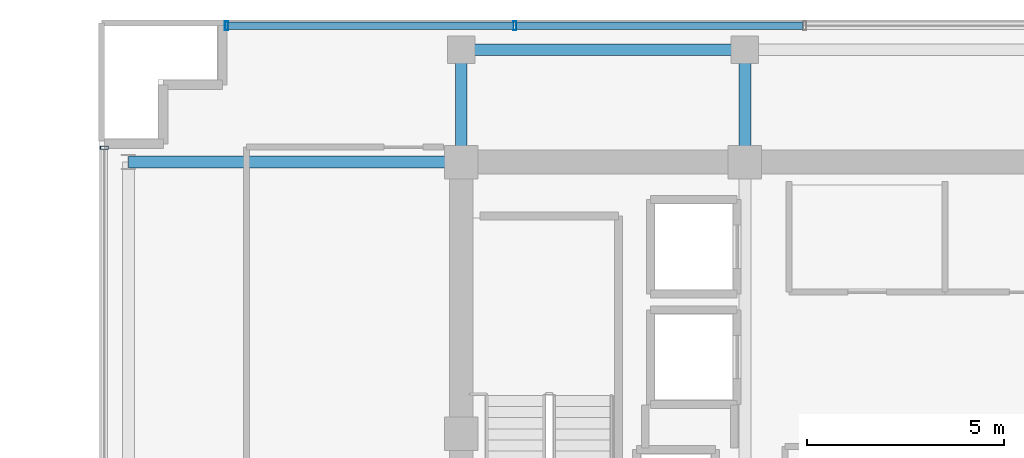
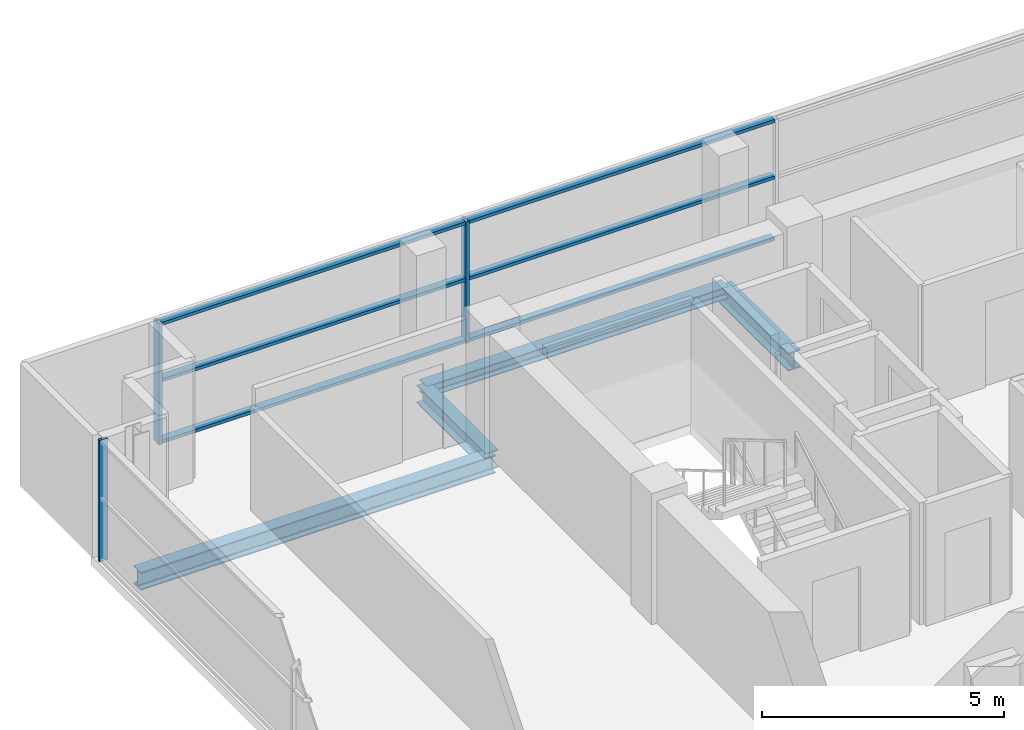
# One storey, part 11 of 22: 9 members, 4 beams, 2 elements without a shape of their own.
"""IFC4 building model written with IfcOpenShell, lengths in metres."""

from ifc_helpers import new_model, si_unit, direction, frame, origin, origin_2d, place, context, subcontext, project, spatial, hollow_rectangle, i_section, extrude, source, transform, mapped, material, layer, layer_set, material_profile, profile_set, type_object, element, aggregate, save


model = new_model("IFC4")

# Units and contexts
model_context = context("Model", 3, precision=1e-05, world=origin(), true_north=direction((0.0, 1.0)))
body_context = subcontext(model_context, "Body", "Model", "MODEL_VIEW")
ifc_project = project(units=[si_unit("LENGTHUNIT", "METRE"), si_unit("AREAUNIT", "SQUARE_METRE"), si_unit("VOLUMEUNIT", "CUBIC_METRE"), si_unit("PLANEANGLEUNIT", "RADIAN"), si_unit("MASSUNIT", "GRAM", prefix="KILO")], contexts=[model_context])

# Site, building, storey
site_placement = place(None, origin())
site = spatial("IfcSite", under=ifc_project, at=site_placement, CompositionType="ELEMENT")
building_placement = place(site_placement, origin())
building = spatial("IfcBuilding", under=site, at=building_placement, Name="Zarnakvel Exchange Tower", CompositionType="ELEMENT")
storey_placement = place(building_placement, frame((0.0, 0.0, 222.10009765625)))
storey = spatial("IfcBuildingStorey", under=building, at=storey_placement, Name="L62", CompositionType="ELEMENT", Elevation=222.10009765625)

# Beams
ifc_material_1 = material(Name="Steel S355", Category="steel")
ifc_material_profile_1 = material_profile(ifc_material_1, i_section(OverallWidth=0.300048828125, OverallDepth=0.449951171875, WebThickness=0.013916015625, FlangeThickness=0.02587890625, FilletRadius=0.027099609375, at=origin_2d()))
ifc_profile_set_1 = profile_set([ifc_material_profile_1], Name="Steel S355")
beam_type_1 = type_object("IfcBeamType", Name="G-07", PredefinedType="BEAM", material=ifc_profile_set_1)
beam_1_placement = place(storey_placement, frame((-22.85009765625, 13.5, -0.4501953125), z_axis=(1.0, 0.0, 0.0), x_axis=(0.0, 1.0, 0.0)))
element("IfcBeam", 1, at=beam_1_placement, inside=storey, type_object=beam_type_1, Name="L62 Tower E-W Frame Beam", PredefinedType="BEAM", context=body_context, shape_type="SweptSolid", body=[
    extrude(i_section(OverallWidth=0.300048828125, OverallDepth=0.449951171875, WebThickness=0.013916015625, FlangeThickness=0.02587890625, FilletRadius=0.027099609375, at=origin_2d()), origin(), (0.0, 0.0, 1.0), 8.4501953125),
])
for number, where, z_axis, x_axis, name in (
    (2, (-14.39990234375, 13.5, -0.4501953125), (0.0, 1.0, 0.0), (-1.0, 0.0, 0.0), "L62 Tower N-S Frame Beam"),
    (3, (-7.199951171875, 13.5, -0.4501953125), (0.0, 1.0, 0.0), (-1.0, 0.0, 0.0), "L62 Tower N-S Frame Beam"),
):
    element("IfcBeam", number, at=place(storey_placement, frame(where, z_axis=z_axis, x_axis=x_axis)), inside=storey, type_object=beam_type_1, Name=name, PredefinedType="BEAM", context=body_context, shape_type="SweptSolid", body=[
        extrude(i_section(OverallWidth=0.300048828125, OverallDepth=0.449951171875, WebThickness=0.013916015625, FlangeThickness=0.02587890625, FilletRadius=0.027099609375, at=origin_2d()), origin(), (0.0, 0.0, 1.0), 2.85009765625),
    ])
ifc_material_profile_2 = material_profile(ifc_material_1, i_section(OverallWidth=0.300048828125, OverallDepth=0.300048828125, WebThickness=0.010986328125, FlangeThickness=0.01904296875, FilletRadius=0.027099609375, at=origin_2d()))
ifc_profile_set_2 = profile_set([ifc_material_profile_2], Name="Steel S355")
beam_type_2 = type_object("IfcBeamType", Name="SP-03", PredefinedType="SPANDREL", material=ifc_profile_set_2)
beam_2_placement = place(storey_placement, frame((-14.39990234375, 16.35009765625, -0.375), z_axis=(1.0, 0.0, 0.0), x_axis=(0.0, 1.0, 0.0)))
element("IfcBeam", 4, at=beam_2_placement, inside=storey, type_object=beam_type_2, Name="L62 Tower E-W Frame Beam", PredefinedType="SPANDREL", context=body_context, shape_type="SweptSolid", body=[
    extrude(i_section(OverallWidth=0.300048828125, OverallDepth=0.300048828125, WebThickness=0.010986328125, FlangeThickness=0.01904296875, FilletRadius=0.027099609375, at=origin_2d()), origin(), (0.0, 0.0, 1.0), 7.199951171875),
])

# Curtain wall, member
ifc_material_2 = material(Name="Architectural Bronze Anodised Aluminium", Category="aluminium")
ifc_layer_1 = layer(ifc_material_2, 0.199951171875)
ifc_layer_set_1 = layer_set([ifc_layer_1], Name="Architectural Bronze Anodised Aluminium")
curtain_wall_type_1 = type_object("IfcCurtainWallType", Name="CW-04", PredefinedType="NOTDEFINED", material=ifc_layer_set_1)
curtain_wall_1_placement = place(storey_placement, origin())
curtain_wall_1 = element("IfcCurtainWall", 5, at=curtain_wall_1_placement, inside=storey, type_object=curtain_wall_type_1, Name="L62 Curtain Wall CW-L62-WN (CW-04)", PredefinedType="NOTDEFINED")
ifc_material_profile_3 = material_profile(ifc_material_2, hollow_rectangle(XDim=0.199951171875, YDim=0.074951171875, WallThickness=0.0048828125, at=origin_2d()))
ifc_profile_set_3 = profile_set([ifc_material_profile_3], Name="Architectural Bronze Anodised Aluminium")
member_type_1 = type_object("IfcMemberType", Name="CWM-04", PredefinedType="MULLION", material=ifc_profile_set_3)
shared_shape_1 = source(origin(), body_context, "Body", "SweptSolid", [
    extrude(hollow_rectangle(XDim=0.199951171875, YDim=0.074951171875, WallThickness=0.0048828125, at=origin_2d()), origin(), (0.0, 0.0, 1.0), 3.054931640625),
])
member_1_placement = place(storey_placement, frame((-23.4599609375, 13.862548828125, 0.0), z_axis=(0.0, 0.0, 1.0), x_axis=(-1.0, 0.0, 0.0)))
member_1 = element("IfcMember", 6, at=member_1_placement, type_object=member_type_1, Name="CW-04 mullion 3", PredefinedType="MULLION", context=body_context, shape_type="MappedRepresentation", body=[
    mapped(shared_shape_1, transform((0.0, 0.0, 0.0), x_axis=(1.0, 0.0, 0.0), y_axis=(0.0, 1.0, 0.0), z_axis=(0.0, 0.0, 1.0), scale=1.0)),
])
aggregate(curtain_wall_1, [member_1])

# Curtain wall, members
ifc_layer_2 = layer(ifc_material_2, 0.219970703125)
ifc_layer_set_2 = layer_set([ifc_layer_2], Name="Architectural Bronze Anodised Aluminium")
curtain_wall_type_2 = type_object("IfcCurtainWallType", Name="CW-03", PredefinedType="NOTDEFINED", material=ifc_layer_set_2)
curtain_wall_2_placement = place(storey_placement, origin())
curtain_wall_2 = element("IfcCurtainWall", 7, at=curtain_wall_2_placement, inside=storey, type_object=curtain_wall_type_2, Name="L62 Curtain Wall CW-L62-N1 (CW-03)", PredefinedType="NOTDEFINED")
ifc_material_profile_4 = material_profile(ifc_material_2, hollow_rectangle(XDim=0.219970703125, YDim=0.080078125, WallThickness=0.0048828125, at=origin_2d()))
ifc_profile_set_4 = profile_set([ifc_material_profile_4], Name="Architectural Bronze Anodised Aluminium")
member_type_2 = type_object("IfcMemberType", Name="CWM-03", PredefinedType="MULLION", material=ifc_profile_set_4)
shared_shape_2 = source(origin(), body_context, "Body", "SweptSolid", [
    extrude(hollow_rectangle(XDim=0.219970703125, YDim=0.080078125, WallThickness=0.0048828125, at=origin_2d()), origin(), (0.0, 0.0, 1.0), 3.054931640625),
])
member_2_placement = place(storey_placement, frame((-20.360107421875, 16.9599609375, 0.0), z_axis=(0.0, 0.0, 1.0), x_axis=(0.0, 1.0, 0.0)))
member_2 = element("IfcMember", 8, at=member_2_placement, type_object=member_type_2, Name="CW-03 mullion 1", PredefinedType="MULLION", context=body_context, shape_type="MappedRepresentation", body=[
    mapped(shared_shape_2, transform((0.0, 0.0, 0.0), x_axis=(1.0, 0.0, 0.0), y_axis=(0.0, 1.0, 0.0), z_axis=(0.0, 0.0, 1.0), scale=1.0)),
])
member_3_placement = place(storey_placement, frame((-13.0400390625, 16.9599609375, 0.0), z_axis=(0.0, 0.0, 1.0), x_axis=(0.0, 1.0, 0.0)))
member_3 = element("IfcMember", 9, at=member_3_placement, type_object=member_type_2, Name="CW-03 mullion 2", PredefinedType="MULLION", context=body_context, shape_type="MappedRepresentation", body=[
    mapped(shared_shape_2, transform((0.0, 0.0, 0.0), x_axis=(1.0, 0.0, 0.0), y_axis=(0.0, 1.0, 0.0), z_axis=(0.0, 0.0, 1.0), scale=1.0)),
])
ifc_material_profile_5 = material_profile(ifc_material_2, hollow_rectangle(XDim=0.179931640625, YDim=0.080078125, WallThickness=0.00390625, at=origin_2d()))
ifc_profile_set_5 = profile_set([ifc_material_profile_5], Name="Architectural Bronze Anodised Aluminium")
member_type_3 = type_object("IfcMemberType", Name="CWT-03", PredefinedType="USERDEFINED", material=ifc_profile_set_5)
shared_shape_3 = source(origin(), body_context, "Body", "SweptSolid", [
    extrude(hollow_rectangle(XDim=0.179931640625, YDim=0.080078125, WallThickness=0.00390625, at=origin_2d()), origin(), (0.0, 0.0, 1.0), 7.239990234375),
])
member_4_placement = place(storey_placement, frame((-20.320068359375, 16.9599609375, 0.039794921875), z_axis=(1.0, 0.0, 0.0), x_axis=(0.0, 1.0, 0.0)))
member_4 = element("IfcMember", 10, at=member_4_placement, type_object=member_type_3, Name="CW-03 transom 1.1", ObjectType="TRANSOM", PredefinedType="USERDEFINED", context=body_context, shape_type="MappedRepresentation", body=[
    mapped(shared_shape_3, transform((0.0, 0.0, 0.0), x_axis=(1.0, 0.0, 0.0), y_axis=(0.0, 1.0, 0.0), z_axis=(0.0, 0.0, 1.0), scale=1.0)),
])
member_5_placement = place(storey_placement, frame((-20.320068359375, 16.9599609375, 1.588623046875), z_axis=(1.0, 0.0, 0.0), x_axis=(0.0, 1.0, 0.0)))
member_5 = element("IfcMember", 11, at=member_5_placement, type_object=member_type_3, Name="CW-03 transom 1.2", ObjectType="TRANSOM", PredefinedType="USERDEFINED", context=body_context, shape_type="MappedRepresentation", body=[
    mapped(shared_shape_3, transform((0.0, 0.0, 0.0), x_axis=(1.0, 0.0, 0.0), y_axis=(0.0, 1.0, 0.0), z_axis=(0.0, 0.0, 1.0), scale=1.0)),
])
member_6_placement = place(storey_placement, frame((-20.320068359375, 16.9599609375, 3.014892578125), z_axis=(1.0, 0.0, 0.0), x_axis=(0.0, 1.0, 0.0)))
member_6 = element("IfcMember", 12, at=member_6_placement, type_object=member_type_3, Name="CW-03 transom 1.3", ObjectType="TRANSOM", PredefinedType="USERDEFINED", context=body_context, shape_type="MappedRepresentation", body=[
    mapped(shared_shape_3, transform((0.0, 0.0, 0.0), x_axis=(1.0, 0.0, 0.0), y_axis=(0.0, 1.0, 0.0), z_axis=(0.0, 0.0, 1.0), scale=1.0)),
])
shared_shape_4 = source(origin(), body_context, "Body", "SweptSolid", [
    extrude(hollow_rectangle(XDim=0.179931640625, YDim=0.080078125, WallThickness=0.00390625, at=origin_2d()), origin(), (0.0, 0.0, 1.0), 7.280029296875),
])
member_7_placement = place(storey_placement, frame((-13.0, 16.9599609375, 0.039794921875), z_axis=(1.0, 0.0, 0.0), x_axis=(0.0, 1.0, 0.0)))
member_7 = element("IfcMember", 13, at=member_7_placement, type_object=member_type_3, Name="CW-03 transom 2.1", ObjectType="TRANSOM", PredefinedType="USERDEFINED", context=body_context, shape_type="MappedRepresentation", body=[
    mapped(shared_shape_4, transform((0.0, 0.0, 0.0), x_axis=(1.0, 0.0, 0.0), y_axis=(0.0, 1.0, 0.0), z_axis=(0.0, 0.0, 1.0), scale=1.0)),
])
member_8_placement = place(storey_placement, frame((-13.0, 16.9599609375, 1.588623046875), z_axis=(1.0, 0.0, 0.0), x_axis=(0.0, 1.0, 0.0)))
member_8 = element("IfcMember", 14, at=member_8_placement, type_object=member_type_3, Name="CW-03 transom 2.2", ObjectType="TRANSOM", PredefinedType="USERDEFINED", context=body_context, shape_type="MappedRepresentation", body=[
    mapped(shared_shape_4, transform((0.0, 0.0, 0.0), x_axis=(1.0, 0.0, 0.0), y_axis=(0.0, 1.0, 0.0), z_axis=(0.0, 0.0, 1.0), scale=1.0)),
])
member_9_placement = place(storey_placement, frame((-13.0, 16.9599609375, 3.014892578125), z_axis=(1.0, 0.0, 0.0), x_axis=(0.0, 1.0, 0.0)))
member_9 = element("IfcMember", 15, at=member_9_placement, type_object=member_type_3, Name="CW-03 transom 2.3", ObjectType="TRANSOM", PredefinedType="USERDEFINED", context=body_context, shape_type="MappedRepresentation", body=[
    mapped(shared_shape_4, transform((0.0, 0.0, 0.0), x_axis=(1.0, 0.0, 0.0), y_axis=(0.0, 1.0, 0.0), z_axis=(0.0, 0.0, 1.0), scale=1.0)),
])
aggregate(curtain_wall_2, [member_2, member_3, member_4, member_5, member_6, member_7, member_8, member_9])

save(model, "model.ifc")
